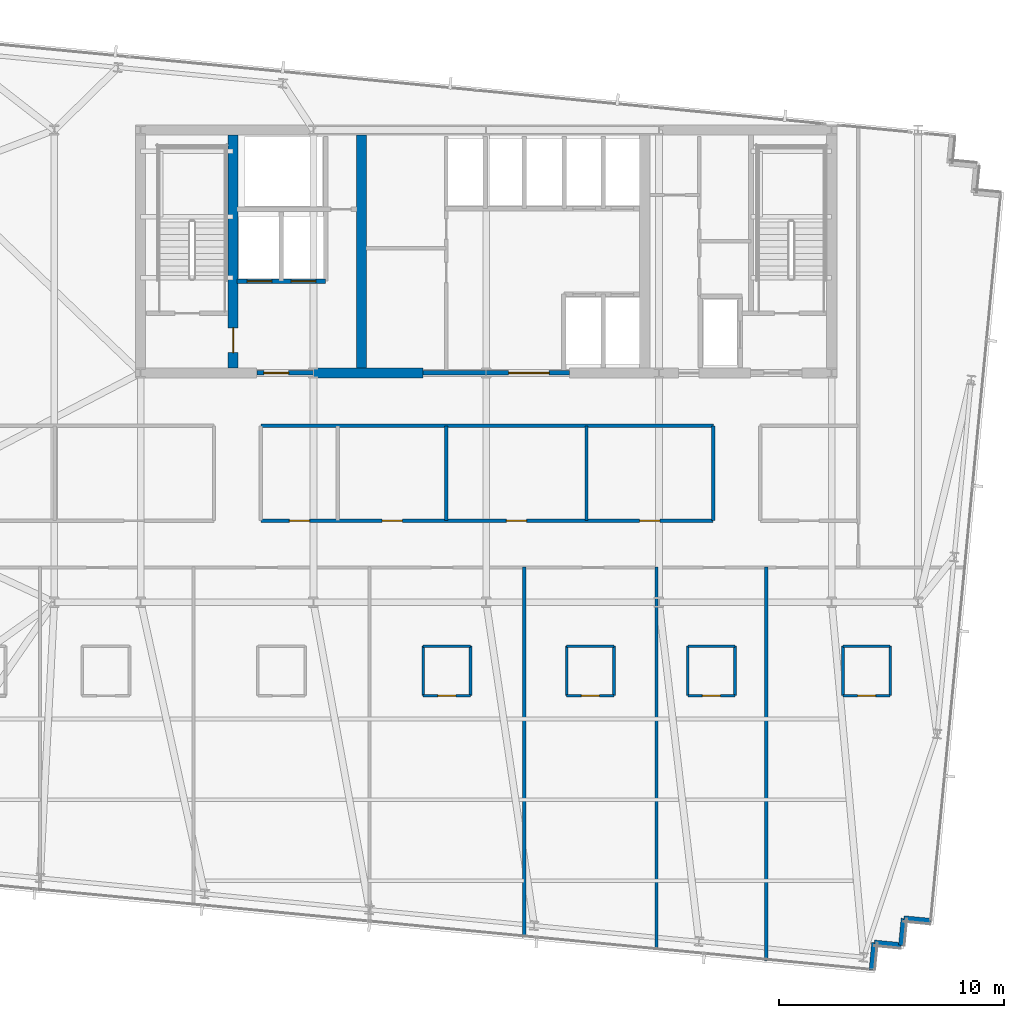
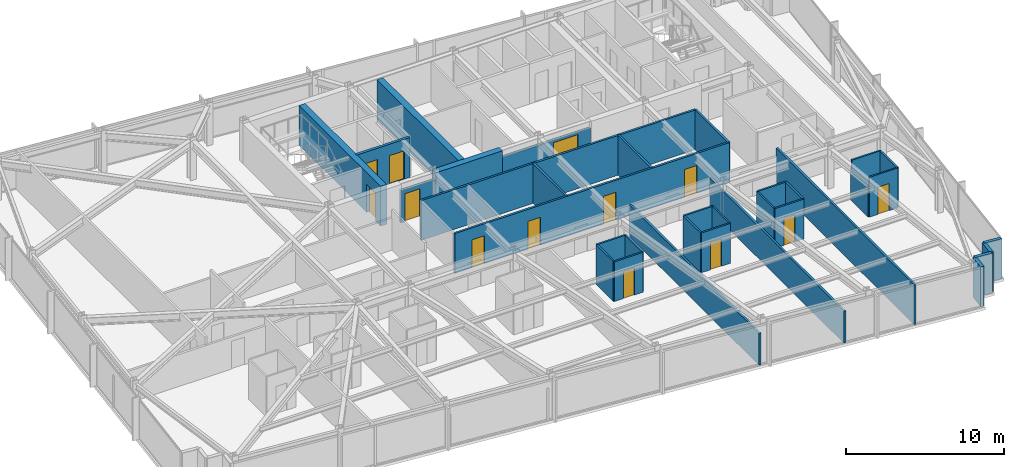
# One storey, part 30 of 37: 34 walls, 13 doors, 13 openings.
"""IFC4 building model written with IfcOpenShell, lengths in metres."""

import ifcopenshell
import ifcopenshell.guid

model = None  # the IFC model being written
_history = None  # IfcOwnerHistory: only IFC2X3 demands one
_inside = {}  # id of a spatial element -> (the spatial element, [elements in it])
_under = {}  # id of a project, library or spatial element -> (it, [spatial elements below it])
_declared = {}  # id of a project -> (the project, [libraries it declares])
_typed = {}  # id of a type object -> (the type object, [elements of that type])
_made_of = {}  # id of a material, layer set ... -> (it, [elements and type objects made of it])


def new_model(schema):
    """Start an empty IFC model of exactly this schema.

    Asked for "IFC4X3", IfcOpenShell would pick the latest addendum, in which some entities
    have other attributes; the version numbers below select the first issue.
    IFC2X3 requires an IfcOwnerHistory on every rooted entity: one is made here for all.
    """
    global model, _history
    if schema == "IFC4X3":
        model = ifcopenshell.file(schema_version=(4, 3, 0, 0))
    else:
        model = ifcopenshell.file(schema=schema)
    _inside.clear()
    _under.clear()
    _declared.clear()
    _typed.clear()
    _made_of.clear()
    _history = None
    if model.schema == "IFC2X3":
        org = make("IfcOrganization", Name="unknown")
        user = make(
            "IfcPersonAndOrganization",
            ThePerson=make("IfcPerson", FamilyName="unknown"),
            TheOrganization=org,
        )
        app = make(
            "IfcApplication",
            ApplicationDeveloper=org,
            Version="unknown",
            ApplicationFullName="unknown",
            ApplicationIdentifier="unknown",
        )
        _history = make(
            "IfcOwnerHistory",
            OwningUser=user,
            OwningApplication=app,
            ChangeAction="ADDED",
            CreationDate=0,
        )
    return model


def make(cls, **values):
    """One entity of the class cls with the attributes given. An attribute that is None is left unset."""
    return model.create_entity(
        cls, **{name: value for name, value in values.items() if value is not None}
    )


def rooted(cls, **values):
    """An entity with a GlobalId (a new one), such as an element, a storey or a relation."""
    return make(cls, GlobalId=ifcopenshell.guid.new(), OwnerHistory=_history, **values)


def si_unit(unit_type, name, prefix=None):
    """IfcSIUnit, for example si_unit("LENGTHUNIT", "METRE", prefix="MILLI")."""
    return make("IfcSIUnit", UnitType=unit_type, Prefix=prefix, Name=name)


def assignment(units):
    """IfcUnitAssignment: the units of a project."""
    return None if units is None else make("IfcUnitAssignment", Units=units)


def point(xyz):
    """IfcCartesianPoint."""
    return None if xyz is None else make("IfcCartesianPoint", Coordinates=xyz)


def direction(xyz):
    """IfcDirection."""
    return None if xyz is None else make("IfcDirection", DirectionRatios=xyz)


def frame(location, z_axis=None, x_axis=None):
    """IfcAxis2Placement3D, a coordinate frame: its origin and axes. An axis left out is left unset."""
    return make(
        "IfcAxis2Placement3D",
        Location=point(location),
        Axis=direction(z_axis),
        RefDirection=direction(x_axis),
    )


def frame_2d(location, x_axis=None):
    """IfcAxis2Placement2D, a coordinate frame in the plane: its origin and x axis."""
    return make(
        "IfcAxis2Placement2D", Location=point(location), RefDirection=direction(x_axis)
    )


def origin():
    """The frame at (0, 0, 0) with its axes left unset."""
    return frame((0.0, 0.0, 0.0))


def place(relative_to, where):
    """IfcLocalPlacement: puts the frame where relative to a parent placement (None: the world)."""
    return make(
        "IfcLocalPlacement", PlacementRelTo=relative_to, RelativePlacement=where
    )


def context(
    kind, dimensions, precision=None, world=None, true_north=None, identifier=None
):
    """IfcGeometricRepresentationContext, for example the 3D "Model" context."""
    return make(
        "IfcGeometricRepresentationContext",
        ContextIdentifier=identifier,
        ContextType=kind,
        CoordinateSpaceDimension=dimensions,
        Precision=precision,
        WorldCoordinateSystem=world,
        TrueNorth=true_north,
    )


def subcontext(parent, identifier, kind, view, scale=None):
    """IfcGeometricRepresentationSubContext, for example "Body" below "Model"."""
    return make(
        "IfcGeometricRepresentationSubContext",
        ContextIdentifier=identifier,
        ContextType=kind,
        ParentContext=parent,
        TargetScale=scale,
        TargetView=view,
    )


def project(units=None, contexts=None):
    """IfcProject with its units and contexts."""
    return rooted(
        "IfcProject",
        Name="project",
        RepresentationContexts=contexts,
        UnitsInContext=assignment(units),
    )


def spatial(cls, under=None, at=None, **own):
    """A site, building, storey or space (cls), placed at a placement, below another one or the project."""
    s = rooted(cls, ObjectPlacement=at, **own)
    if under is not None:
        _under.setdefault(under.id(), (under, []))[1].append(s)
    return s


def profile(cls, at=None, kind="AREA", **sizes):
    """A parametric profile (cls). Its sizes go by their IFC names, for example OverallWidth=200.0."""
    return make(cls, ProfileType=kind, Position=at, **sizes)


def rectangle(**sizes):
    """IfcRectangleProfileDef."""
    return profile("IfcRectangleProfileDef", **sizes)


def extrude(swept, where, along, depth):
    """IfcExtrudedAreaSolid: the profile swept, set in the frame where, extruded along a direction by depth."""
    return make(
        "IfcExtrudedAreaSolid",
        SweptArea=swept,
        Position=where,
        ExtrudedDirection=direction(along),
        Depth=depth,
    )


def shape(context_of_items, identifier, shape_type, items):
    """IfcShapeRepresentation: the items that make up one representation, for example the "Body"."""
    return make(
        "IfcShapeRepresentation",
        ContextOfItems=context_of_items,
        RepresentationIdentifier=identifier,
        RepresentationType=shape_type,
        Items=items,
    )


def material(Name=None, Category=None):
    """IfcMaterial."""
    return make("IfcMaterial", Name=Name, Category=Category)


def layer(
    of_material, thickness, ventilated=None, Name=None, Category=None, Priority=None
):
    """IfcMaterialLayer: one layer of a wall or slab, of a material (None: an air gap)."""
    return make(
        "IfcMaterialLayer",
        Material=of_material,
        LayerThickness=thickness,
        IsVentilated=ventilated,
        Name=Name,
        Category=Category,
        Priority=Priority,
    )


def layer_set(layers, Name=None):
    """IfcMaterialLayerSet."""
    return make("IfcMaterialLayerSet", MaterialLayers=layers, LayerSetName=Name)


def made_of(thing, what):
    """Note that an element or type object is made of a material, layer set ...; save() writes the relation."""
    if what is not None:
        _made_of.setdefault(what.id(), (what, []))[1].append(thing)
    return thing


def type_object(cls, material=None, **own):
    """A type object (cls), such as IfcWallType, which elements share."""
    return made_of(rooted(cls, **own), material)


def element(
    cls,
    number,
    at=None,
    inside=None,
    cuts=None,
    type_object=None,
    material=None,
    context=None,
    identifier="Body",
    shape_type=None,
    held_by="IfcProductDefinitionShape",
    body=None,
    shapes=None,
    **own,
):
    """One element of the class cls, such as IfcWall. Its Tag is "e" and its number.

    at: its placement. inside: the storey or other place that contains it. cuts: it is an
    opening in that element (IfcRelVoidsElement). A single representation is given by context,
    identifier, shape_type and body (its items); several are given by shapes. held_by: the class
    of the entity that holds the representations. save() writes the other relations.
    """
    e = rooted(cls, Tag="e%d" % number, ObjectPlacement=at, **own)
    if body is not None:
        shapes = [shape(context, identifier, shape_type, body)]
    if shapes is not None:
        e.Representation = make(held_by, Representations=shapes)
    if inside is not None:
        _inside.setdefault(inside.id(), (inside, []))[1].append(e)
    if cuts is not None:
        rooted(
            "IfcRelVoidsElement", RelatingBuildingElement=cuts, RelatedOpeningElement=e
        )
    if type_object is not None:
        _typed.setdefault(type_object.id(), (type_object, []))[1].append(e)
    return made_of(e, material)


def fill(opening, filler):
    """IfcRelFillsElement: the door or window that sits in an opening."""
    return rooted(
        "IfcRelFillsElement",
        RelatingOpeningElement=opening,
        RelatedBuildingElement=filler,
    )


def aggregate(whole, parts):
    """IfcRelAggregates: a whole, such as a stair, and the parts it consists of."""
    return rooted("IfcRelAggregates", RelatingObject=whole, RelatedObjects=parts)


def save(model, path):
    """Write the relations noted so far, then the file.

    IfcRelAggregates (storeys below a building ...), IfcRelContainedInSpatialStructure (elements
    in a storey), IfcRelDefinesByType, IfcRelAssociatesMaterial and IfcRelDeclares: one each for
    every whole, place, type object, material and project.
    """
    for whole, parts in _under.values():
        aggregate(whole, parts)
    for where, things in _inside.values():
        rooted(
            "IfcRelContainedInSpatialStructure",
            RelatedElements=things,
            RelatingStructure=where,
        )
    for kind, things in _typed.values():
        rooted("IfcRelDefinesByType", RelatedObjects=things, RelatingType=kind)
    for what, things in _made_of.values():
        rooted("IfcRelAssociatesMaterial", RelatedObjects=things, RelatingMaterial=what)
    for by, libraries in _declared.values():
        rooted("IfcRelDeclares", RelatingContext=by, RelatedDefinitions=libraries)
    model.write(path)


model = new_model("IFC4")

# Units and contexts
model_context = context("Model", 3, precision=1e-05, world=origin(), true_north=direction((0.0, 1.0)))
body_context = subcontext(model_context, "Body", "Model", "MODEL_VIEW")
ifc_project = project(units=[si_unit("LENGTHUNIT", "METRE"), si_unit("AREAUNIT", "SQUARE_METRE"), si_unit("VOLUMEUNIT", "CUBIC_METRE"), si_unit("PLANEANGLEUNIT", "RADIAN"), si_unit("MASSUNIT", "GRAM", prefix="KILO")], contexts=[model_context])

# Site, building, storey
site_placement = place(None, origin())
site = spatial("IfcSite", under=ifc_project, at=site_placement, CompositionType="ELEMENT")
building_placement = place(site_placement, origin())
building = spatial("IfcBuilding", under=site, at=building_placement, Name="Yelkora Congress Tower", CompositionType="ELEMENT")
storey_placement = place(building_placement, frame((0.0, 0.0, 175.39990234375)))
storey = spatial("IfcBuildingStorey", under=building, at=storey_placement, Name="L48", CompositionType="ELEMENT", Elevation=175.39990234375)

# Wall
ifc_material_1 = material(Name="Concrete C60/75", Category="concrete")
ifc_layer_1 = layer(ifc_material_1, 0.449951171875)
ifc_layer_set_1 = layer_set([ifc_layer_1], Name="Concrete C60/75")
wall_type_1 = type_object("IfcWallType", Name="WALL-CORE-INT-450", PredefinedType="SHEAR", material=ifc_layer_set_1)
wall_1_placement = place(storey_placement, frame((30.719970703125, 35.39990234375, 0.0), z_axis=(0.0, 0.0, 1.0), x_axis=(1.0, 0.0, 0.0)))
element("IfcWall", 1, at=wall_1_placement, inside=storey, type_object=wall_type_1, Name="L48 Rear Core South-Center Shear Pier", PredefinedType="SHEAR", context=body_context, shape_type="SweptSolid", body=[
    extrude(rectangle(XDim=4.880126953125, YDim=0.449951171875, at=frame_2d((2.43994140625, 0.0))), origin(), (0.0, 0.0, 1.0), 3.080078125),
])

# Wall, opening, door
wall_2_placement = place(storey_placement, frame((27.14990234375, 35.625, 0.0), z_axis=(0.0, 0.0, 1.0), x_axis=(0.0, 1.0, 0.0)))
wall_2 = element("IfcWall", 2, at=wall_2_placement, inside=storey, type_object=wall_type_1, Name="L48 Rear Core Cross Shear Wall C1", PredefinedType="SHEAR", context=body_context, shape_type="SweptSolid", body=[
    extrude(rectangle(XDim=10.35009765625, YDim=0.449951171875, at=frame_2d((5.175048828125, 0.0))), origin(), (0.0, 0.0, 1.0), 3.080078125),
])
opening_1_placement = place(wall_2_placement, frame((0.675048828125, 0.0, 0.0)))
opening_1 = element("IfcOpeningElement", 3, at=opening_1_placement, cuts=wall_2, Name="Opening DR-110F9", PredefinedType="OPENING", context=body_context, shape_type="SweptSolid", body=[
    extrude(rectangle(XDim=1.10009765625, YDim=2.14990234375, at=frame_2d((0.550048828125, 1.074951171875))), frame((0.0, 0.23486328125, 0.0), z_axis=(0.0, -1.0, 0.0), x_axis=(1.0, 0.0, 0.0)), (0.0, 0.0, 1.0), 0.469970703125),
])
ifc_material_2 = material(Name="Galvanised steel fire door leaf", Category="steel")
door_type_1 = type_object("IfcDoorType", Name="DOOR-FD90-1100", OperationType="NOTDEFINED", PredefinedType="DOOR", material=ifc_material_2)
door_1_placement = place(opening_1_placement, origin())
door_1 = element("IfcDoor", 4, at=door_1_placement, inside=storey, type_object=door_type_1, Name="L48 Firefighting Stair Transfer Door", OperationType="SINGLE_SWING_LEFT", OverallHeight=2.14990234375, OverallWidth=1.10009765625, PredefinedType="DOOR", context=body_context, shape_type="SweptSolid", body=[
    extrude(rectangle(XDim=1.10009765625, YDim=2.14990234375, at=frame_2d((0.550048828125, 1.074951171875))), frame((0.0, 0.02490234375, 0.0), z_axis=(0.0, -1.0, 0.0), x_axis=(1.0, 0.0, 0.0)), (0.0, 0.0, 1.0), 0.050048828125),
])
fill(opening_1, door_1)

# Walls
wall_3_placement = place(storey_placement, frame((32.85009765625, 35.625, 0.0), z_axis=(0.0, 0.0, 1.0), x_axis=(0.0, 1.0, 0.0)))
element("IfcWall", 5, at=wall_3_placement, inside=storey, type_object=wall_type_1, Name="L48 Rear Core Cross Shear Wall C2", PredefinedType="SHEAR", context=body_context, shape_type="SweptSolid", body=[
    extrude(rectangle(XDim=10.35009765625, YDim=0.449951171875, at=frame_2d((5.175048828125, 0.0))), origin(), (0.0, 0.0, 1.0), 3.080078125),
])
ifc_material_3 = material(Name="Concrete C40/50", Category="concrete")
ifc_layer_2 = layer(ifc_material_3, 0.239990234375)
ifc_layer_set_2 = layer_set([ifc_layer_2], Name="Concrete C40/50")
wall_type_2 = type_object("IfcWallType", Name="WALL-EXT-LIMESTONE-240", PredefinedType="SOLIDWALL", material=ifc_layer_set_2)
wall_4_placement = place(storey_placement, frame((58.160400390625, 11.033203125, 0.0), z_axis=(0.0, 0.0, 1.0), x_axis=(-0.995398960025, 0.095817067274, 0.0)))
element("IfcWall", 6, at=wall_4_placement, inside=storey, type_object=wall_type_2, Name="L48 Serrated Corner Limestone Pier 16", PredefinedType="SOLIDWALL", context=body_context, shape_type="SweptSolid", body=[
    extrude(rectangle(XDim=1.2001953125, YDim=0.239990234375, at=frame_2d((0.60009765625, 0.0))), origin(), (0.0, 0.0, 1.0), 3.080078125),
])
for number, where, z_axis, x_axis, name in (
    (7, (56.9658203125, 11.148193359375, 0.0), (0.0, 0.0, 1.0), (-0.095836473879, -0.995397091755, 0.0), "L48 Serrated Corner Limestone Pier 17"),
    (8, (56.850830078125, 9.953857421875, 0.0), (0.0, 0.0, 1.0), (-0.995397091755, 0.095836473879, 0.0), "L48 Serrated Corner Limestone Pier 18"),
):
    element("IfcWall", number, at=place(storey_placement, frame(where, z_axis=z_axis, x_axis=x_axis)), inside=storey, type_object=wall_type_2, Name=name, PredefinedType="SOLIDWALL", context=body_context, shape_type="SweptSolid", body=[
        extrude(rectangle(XDim=1.199951171875, YDim=0.239990234375, at=frame_2d((0.60009765625, 0.0))), origin(), (0.0, 0.0, 1.0), 3.080078125),
    ])
wall_5_placement = place(storey_placement, frame((55.656494140625, 10.06884765625, 0.0), z_axis=(0.0, 0.0, 1.0), x_axis=(-0.095817067274, -0.995398960025, 0.0)))
element("IfcWall", 9, at=wall_5_placement, inside=storey, type_object=wall_type_2, Name="L48 Serrated Corner Limestone Pier 19", PredefinedType="SOLIDWALL", context=body_context, shape_type="SweptSolid", body=[
    extrude(rectangle(XDim=1.2001953125, YDim=0.239990234375, at=frame_2d((0.60009765625, 0.0))), origin(), (0.0, 0.0, 1.0), 3.080078125),
])
ifc_material_4 = material(Name="Moisture-resistant gypsum partition", Category="gypsum")
ifc_layer_3 = layer(ifc_material_4, 0.1201171875)
ifc_layer_set_3 = layer_set([ifc_layer_3], Name="Moisture-resistant gypsum partition")
wall_type_3 = type_object("IfcWallType", Name="WALL-INT-120-NR", PredefinedType="PARTITIONING", material=ifc_layer_set_3)
wall_6_placement = place(storey_placement, frame((35.60107421875, 23.25, 0.0), z_axis=(0.0, 0.0, 1.0), x_axis=(1.0, 0.0, 0.0)))
element("IfcWall", 10, at=wall_6_placement, inside=storey, type_object=wall_type_3, Name="L48 Partition Wall 46", PredefinedType="PARTITIONING", context=body_context, shape_type="SweptSolid", body=[
    extrude(rectangle(XDim=2.099853515625, YDim=0.1201171875, at=frame_2d((1.0498046875, 0.0))), origin(), (0.0, 0.0, 1.0), 3.080078125),
])
for number, where, z_axis, x_axis, name in (
    (11, (35.60107421875, 21.050048828125, 0.0), (0.0, 0.0, 1.0), (0.0, 1.0, 0.0), "L48 Partition Wall 47"),
    (12, (37.700927734375, 21.050048828125, 0.0), (0.0, 0.0, 1.0), (0.0, 1.0, 0.0), "L48 Partition Wall 48"),
):
    element("IfcWall", number, at=place(storey_placement, frame(where, z_axis=z_axis, x_axis=x_axis)), inside=storey, type_object=wall_type_3, Name=name, PredefinedType="PARTITIONING", context=body_context, shape_type="SweptSolid", body=[
        extrude(rectangle(XDim=2.199951171875, YDim=0.1201171875, at=frame_2d((1.10009765625, 0.0))), origin(), (0.0, 0.0, 1.0), 3.080078125),
    ])

# Wall, opening, door
wall_7_placement = place(storey_placement, frame((35.60107421875, 21.050048828125, 0.0), z_axis=(0.0, 0.0, 1.0), x_axis=(1.0, 0.0, 0.0)))
wall_7 = element("IfcWall", 13, at=wall_7_placement, inside=storey, type_object=wall_type_3, Name="L48 Partition Wall 49", PredefinedType="PARTITIONING", context=body_context, shape_type="SweptSolid", body=[
    extrude(rectangle(XDim=2.099853515625, YDim=0.1201171875, at=frame_2d((1.0498046875, 0.0))), origin(), (0.0, 0.0, 1.0), 3.080078125),
])
opening_2_placement = place(wall_7_placement, frame((0.64990234375, 0.0, 0.0)))
opening_2 = element("IfcOpeningElement", 14, at=opening_2_placement, cuts=wall_7, Name="Opening DR-080B", PredefinedType="OPENING", context=body_context, shape_type="SweptSolid", body=[
    extrude(rectangle(XDim=0.800048828125, YDim=2.10009765625, at=frame_2d((0.39990234375, 1.050048828125))), frame((0.0, 0.070068359375, 0.0), z_axis=(0.0, -1.0, 0.0), x_axis=(1.0, 0.0, 0.0)), (0.0, 0.0, 1.0), 0.14013671875),
])
ifc_material_5 = material(Name="Moisture-sealed en-suite timber door", Category="wood")
door_type_2 = type_object("IfcDoorType", Name="DOOR-BATH-800", OperationType="NOTDEFINED", PredefinedType="DOOR", material=ifc_material_5)
door_2_placement = place(opening_2_placement, origin())
door_2 = element("IfcDoor", 15, at=door_2_placement, inside=storey, type_object=door_type_2, Name="L48 En-suite Door 5", OperationType="SINGLE_SWING_LEFT", OverallHeight=2.10009765625, OverallWidth=0.800048828125, PredefinedType="DOOR", context=body_context, shape_type="SweptSolid", body=[
    extrude(rectangle(XDim=0.800048828125, YDim=2.10009765625, at=frame_2d((0.39990234375, 1.050048828125))), frame((0.0, 0.02490234375, 0.0), z_axis=(0.0, -1.0, 0.0), x_axis=(1.0, 0.0, 0.0)), (0.0, 0.0, 1.0), 0.050048828125),
])
fill(opening_2, door_2)

# Walls
wall_8_placement = place(storey_placement, frame((41.98095703125, 23.25, 0.0), z_axis=(0.0, 0.0, 1.0), x_axis=(1.0, 0.0, 0.0)))
element("IfcWall", 16, at=wall_8_placement, inside=storey, type_object=wall_type_3, Name="L48 Partition Wall 51", PredefinedType="PARTITIONING", context=body_context, shape_type="SweptSolid", body=[
    extrude(rectangle(XDim=2.10009765625, YDim=0.1201171875, at=frame_2d((1.050048828125, 0.0))), origin(), (0.0, 0.0, 1.0), 3.080078125),
])
for number, where, z_axis, x_axis, name in (
    (17, (41.98095703125, 21.050048828125, 0.0), (0.0, 0.0, 1.0), (0.0, 1.0, 0.0), "L48 Partition Wall 52"),
    (18, (44.0810546875, 21.050048828125, 0.0), (0.0, 0.0, 1.0), (0.0, 1.0, 0.0), "L48 Partition Wall 53"),
):
    element("IfcWall", number, at=place(storey_placement, frame(where, z_axis=z_axis, x_axis=x_axis)), inside=storey, type_object=wall_type_3, Name=name, PredefinedType="PARTITIONING", context=body_context, shape_type="SweptSolid", body=[
        extrude(rectangle(XDim=2.199951171875, YDim=0.1201171875, at=frame_2d((1.10009765625, 0.0))), origin(), (0.0, 0.0, 1.0), 3.080078125),
    ])

# Wall, opening, door
wall_9_placement = place(storey_placement, frame((41.98095703125, 21.050048828125, 0.0), z_axis=(0.0, 0.0, 1.0), x_axis=(1.0, 0.0, 0.0)))
wall_9 = element("IfcWall", 19, at=wall_9_placement, inside=storey, type_object=wall_type_3, Name="L48 Partition Wall 54", PredefinedType="PARTITIONING", context=body_context, shape_type="SweptSolid", body=[
    extrude(rectangle(XDim=2.10009765625, YDim=0.1201171875, at=frame_2d((1.050048828125, 0.0))), origin(), (0.0, 0.0, 1.0), 3.080078125),
])
opening_3_placement = place(wall_9_placement, frame((0.64990234375, 0.0, 0.0)))
opening_3 = element("IfcOpeningElement", 20, at=opening_3_placement, cuts=wall_9, Name="Opening DR-080B", PredefinedType="OPENING", context=body_context, shape_type="SweptSolid", body=[
    extrude(rectangle(XDim=0.800048828125, YDim=2.10009765625, at=frame_2d((0.39990234375, 1.050048828125))), frame((0.0, 0.070068359375, 0.0), z_axis=(0.0, -1.0, 0.0), x_axis=(1.0, 0.0, 0.0)), (0.0, 0.0, 1.0), 0.14013671875),
])
door_3_placement = place(opening_3_placement, origin())
door_3 = element("IfcDoor", 21, at=door_3_placement, inside=storey, type_object=door_type_2, Name="L48 En-suite Door 6", OperationType="SINGLE_SWING_RIGHT", OverallHeight=2.10009765625, OverallWidth=0.800048828125, PredefinedType="DOOR", context=body_context, shape_type="SweptSolid", body=[
    extrude(rectangle(XDim=0.800048828125, YDim=2.10009765625, at=frame_2d((0.39990234375, 1.050048828125))), frame((0.0, 0.02490234375, 0.0), z_axis=(0.0, -1.0, 0.0), x_axis=(1.0, 0.0, 0.0)), (0.0, 0.0, 1.0), 0.050048828125),
])
fill(opening_3, door_3)

# Walls
wall_10_placement = place(storey_placement, frame((47.361083984375, 23.25, 0.0), z_axis=(0.0, 0.0, 1.0), x_axis=(1.0, 0.0, 0.0)))
element("IfcWall", 22, at=wall_10_placement, inside=storey, type_object=wall_type_3, Name="L48 Partition Wall 56", PredefinedType="PARTITIONING", context=body_context, shape_type="SweptSolid", body=[
    extrude(rectangle(XDim=2.099853515625, YDim=0.1201171875, at=frame_2d((1.0498046875, 0.0))), origin(), (0.0, 0.0, 1.0), 3.080078125),
])
for number, where, z_axis, x_axis, name in (
    (23, (47.361083984375, 21.050048828125, 0.0), (0.0, 0.0, 1.0), (0.0, 1.0, 0.0), "L48 Partition Wall 57"),
    (24, (49.4609375, 21.050048828125, 0.0), (0.0, 0.0, 1.0), (0.0, 1.0, 0.0), "L48 Partition Wall 58"),
):
    element("IfcWall", number, at=place(storey_placement, frame(where, z_axis=z_axis, x_axis=x_axis)), inside=storey, type_object=wall_type_3, Name=name, PredefinedType="PARTITIONING", context=body_context, shape_type="SweptSolid", body=[
        extrude(rectangle(XDim=2.199951171875, YDim=0.1201171875, at=frame_2d((1.10009765625, 0.0))), origin(), (0.0, 0.0, 1.0), 3.080078125),
    ])

# Wall, opening, door
wall_11_placement = place(storey_placement, frame((47.361083984375, 21.050048828125, 0.0), z_axis=(0.0, 0.0, 1.0), x_axis=(1.0, 0.0, 0.0)))
wall_11 = element("IfcWall", 25, at=wall_11_placement, inside=storey, type_object=wall_type_3, Name="L48 Partition Wall 59", PredefinedType="PARTITIONING", context=body_context, shape_type="SweptSolid", body=[
    extrude(rectangle(XDim=2.099853515625, YDim=0.1201171875, at=frame_2d((1.0498046875, 0.0))), origin(), (0.0, 0.0, 1.0), 3.080078125),
])
opening_4_placement = place(wall_11_placement, frame((0.64990234375, 0.0, 0.0)))
opening_4 = element("IfcOpeningElement", 26, at=opening_4_placement, cuts=wall_11, Name="Opening DR-080B", PredefinedType="OPENING", context=body_context, shape_type="SweptSolid", body=[
    extrude(rectangle(XDim=0.800048828125, YDim=2.10009765625, at=frame_2d((0.39990234375, 1.050048828125))), frame((0.0, 0.070068359375, 0.0), z_axis=(0.0, -1.0, 0.0), x_axis=(1.0, 0.0, 0.0)), (0.0, 0.0, 1.0), 0.14013671875),
])
door_4_placement = place(opening_4_placement, origin())
door_4 = element("IfcDoor", 27, at=door_4_placement, inside=storey, type_object=door_type_2, Name="L48 En-suite Door 7", OperationType="SINGLE_SWING_LEFT", OverallHeight=2.10009765625, OverallWidth=0.800048828125, PredefinedType="DOOR", context=body_context, shape_type="SweptSolid", body=[
    extrude(rectangle(XDim=0.800048828125, YDim=2.10009765625, at=frame_2d((0.39990234375, 1.050048828125))), frame((0.0, 0.02490234375, 0.0), z_axis=(0.0, -1.0, 0.0), x_axis=(1.0, 0.0, 0.0)), (0.0, 0.0, 1.0), 0.050048828125),
])
fill(opening_4, door_4)

# Walls
wall_12_placement = place(storey_placement, frame((54.260009765625, 23.25, 0.0), z_axis=(0.0, 0.0, 1.0), x_axis=(1.0, 0.0, 0.0)))
element("IfcWall", 28, at=wall_12_placement, inside=storey, type_object=wall_type_3, Name="L48 Partition Wall 61", PredefinedType="PARTITIONING", context=body_context, shape_type="SweptSolid", body=[
    extrude(rectangle(XDim=2.10009765625, YDim=0.1201171875, at=frame_2d((1.050048828125, 0.0))), origin(), (0.0, 0.0, 1.0), 3.080078125),
])
wall_13_placement = place(storey_placement, frame((54.260009765625, 21.050048828125, 0.0), z_axis=(0.0, 0.0, 1.0), x_axis=(0.0, 1.0, 0.0)))
element("IfcWall", 29, at=wall_13_placement, inside=storey, type_object=wall_type_3, Name="L48 Partition Wall 62", PredefinedType="PARTITIONING", context=body_context, shape_type="SweptSolid", body=[
    extrude(rectangle(XDim=2.199951171875, YDim=0.1201171875, at=frame_2d((1.10009765625, 0.0))), origin(), (0.0, 0.0, 1.0), 2.47509765625),
])
wall_14_placement = place(storey_placement, frame((56.360107421875, 21.050048828125, 0.0), z_axis=(0.0, 0.0, 1.0), x_axis=(0.0, 1.0, 0.0)))
element("IfcWall", 30, at=wall_14_placement, inside=storey, type_object=wall_type_3, Name="L48 Partition Wall 63", PredefinedType="PARTITIONING", context=body_context, shape_type="SweptSolid", body=[
    extrude(rectangle(XDim=2.199951171875, YDim=0.1201171875, at=frame_2d((1.10009765625, 0.0))), origin(), (0.0, 0.0, 1.0), 3.080078125),
])

# Wall, opening, door
wall_15_placement = place(storey_placement, frame((54.260009765625, 21.050048828125, 0.0), z_axis=(0.0, 0.0, 1.0), x_axis=(1.0, 0.0, 0.0)))
wall_15 = element("IfcWall", 31, at=wall_15_placement, inside=storey, type_object=wall_type_3, Name="L48 Partition Wall 64", PredefinedType="PARTITIONING", context=body_context, shape_type="SweptSolid", body=[
    extrude(rectangle(XDim=2.10009765625, YDim=0.1201171875, at=frame_2d((1.050048828125, 0.0))), origin(), (0.0, 0.0, 1.0), 3.080078125),
])
opening_5_placement = place(wall_15_placement, frame((0.64990234375, 0.0, 0.0)))
opening_5 = element("IfcOpeningElement", 32, at=opening_5_placement, cuts=wall_15, Name="Opening DR-080B", PredefinedType="OPENING", context=body_context, shape_type="SweptSolid", body=[
    extrude(rectangle(XDim=0.800048828125, YDim=2.10009765625, at=frame_2d((0.39990234375, 1.050048828125))), frame((0.0, 0.070068359375, 0.0), z_axis=(0.0, -1.0, 0.0), x_axis=(1.0, 0.0, 0.0)), (0.0, 0.0, 1.0), 0.14013671875),
])
door_5_placement = place(opening_5_placement, origin())
door_5 = element("IfcDoor", 33, at=door_5_placement, inside=storey, type_object=door_type_2, Name="L48 En-suite Door 8", OperationType="SINGLE_SWING_RIGHT", OverallHeight=2.10009765625, OverallWidth=0.800048828125, PredefinedType="DOOR", context=body_context, shape_type="SweptSolid", body=[
    extrude(rectangle(XDim=0.800048828125, YDim=2.10009765625, at=frame_2d((0.39990234375, 1.050048828125))), frame((0.0, 0.02490234375, 0.0), z_axis=(0.0, -1.0, 0.0), x_axis=(1.0, 0.0, 0.0)), (0.0, 0.0, 1.0), 0.050048828125),
])
fill(opening_5, door_5)

# Walls
ifc_material_6 = material(Name="Acoustic metal-stud gypsum partition", Category="gypsum")
ifc_layer_4 = layer(ifc_material_6, 0.14990234375)
ifc_layer_set_4 = layer_set([ifc_layer_4], Name="Acoustic metal-stud gypsum partition")
wall_type_4 = type_object("IfcWallType", Name="WALL-INT-150-NR", PredefinedType="PARTITIONING", material=ifc_layer_set_4)
wall_16_placement = place(storey_placement, frame((48.5, 28.830078125, 0.0), z_axis=(0.0, 0.0, 1.0), x_axis=(0.0, 1.0, 0.0)))
element("IfcWall", 34, at=wall_16_placement, inside=storey, type_object=wall_type_4, Name="L48 Partition Wall 71", PredefinedType="PARTITIONING", context=body_context, shape_type="SweptSolid", body=[
    extrude(rectangle(XDim=4.219970703125, YDim=0.14990234375, at=frame_2d((2.10986328125, 0.0))), origin(), (0.0, 0.0, 1.0), 3.080078125),
])
wall_17_placement = place(storey_placement, frame((28.3798828125, 33.050048828125, 0.0), z_axis=(0.0, 0.0, 1.0), x_axis=(1.0, 0.0, 0.0)))
element("IfcWall", 35, at=wall_17_placement, inside=storey, type_object=wall_type_4, Name="L48 Partition Wall 74", PredefinedType="PARTITIONING", context=body_context, shape_type="SweptSolid", body=[
    extrude(rectangle(XDim=20.1201171875, YDim=0.14990234375, at=frame_2d((10.06005859375, 0.0))), origin(), (0.0, 0.0, 1.0), 3.080078125),
])
for number, where, z_axis, x_axis, name in (
    (36, (36.631103515625, 28.830078125, 0.0), (0.0, 0.0, 1.0), (0.0, 1.0, 0.0), "L48 Partition Wall 80"),
    (37, (42.862060546875, 28.830078125, 0.0), (0.0, 0.0, 1.0), (0.0, 1.0, 0.0), "L48 Partition Wall 81"),
):
    element("IfcWall", number, at=place(storey_placement, frame(where, z_axis=z_axis, x_axis=x_axis)), inside=storey, type_object=wall_type_4, Name=name, PredefinedType="PARTITIONING", context=body_context, shape_type="SweptSolid", body=[
        extrude(rectangle(XDim=4.219970703125, YDim=0.14990234375, at=frame_2d((2.10986328125, 0.0))), origin(), (0.0, 0.0, 1.0), 3.080078125),
    ])

# Wall, openings, doors
wall_18_placement = place(storey_placement, frame((28.389892578125, 28.830078125, 0.0), z_axis=(0.0, 0.0, 1.0), x_axis=(1.0, 0.0, 0.0)))
wall_18 = element("IfcWall", 38, at=wall_18_placement, inside=storey, type_object=wall_type_4, Name="L48 Partition Wall 82", PredefinedType="PARTITIONING", context=body_context, shape_type="SweptSolid", body=[
    extrude(rectangle(XDim=20.10009765625, YDim=0.14990234375, at=frame_2d((10.050048828125, 0.0))), origin(), (0.0, 0.0, 1.0), 3.080078125),
])
opening_6_placement = place(wall_18_placement, frame((1.258544921875, 0.0, 0.0)))
opening_6 = element("IfcOpeningElement", 39, at=opening_6_placement, cuts=wall_18, Name="Opening DR-090N", PredefinedType="OPENING", context=body_context, shape_type="SweptSolid", body=[
    extrude(rectangle(XDim=0.89990234375, YDim=2.14990234375, at=frame_2d((0.449951171875, 1.074951171875))), frame((0.0, 0.0849609375, 0.0), z_axis=(0.0, -1.0, 0.0), x_axis=(1.0, 0.0, 0.0)), (0.0, 0.0, 1.0), 0.169921875),
])
opening_7_placement = place(wall_18_placement, frame((5.37890625, 0.0, 0.0)))
opening_7 = element("IfcOpeningElement", 40, at=opening_7_placement, cuts=wall_18, Name="Opening DR-090N", PredefinedType="OPENING", context=body_context, shape_type="SweptSolid", body=[
    extrude(rectangle(XDim=0.89990234375, YDim=2.14990234375, at=frame_2d((0.449951171875, 1.074951171875))), frame((0.0, 0.0849609375, 0.0), z_axis=(0.0, -1.0, 0.0), x_axis=(1.0, 0.0, 0.0)), (0.0, 0.0, 1.0), 0.169921875),
])
opening_8_placement = place(wall_18_placement, frame((10.906494140625, 0.0, 0.0)))
opening_8 = element("IfcOpeningElement", 41, at=opening_8_placement, cuts=wall_18, Name="Opening DR-090N", PredefinedType="OPENING", context=body_context, shape_type="SweptSolid", body=[
    extrude(rectangle(XDim=0.89990234375, YDim=2.14990234375, at=frame_2d((0.449951171875, 1.074951171875))), frame((0.0, 0.0849609375, 0.0), z_axis=(0.0, -1.0, 0.0), x_axis=(1.0, 0.0, 0.0)), (0.0, 0.0, 1.0), 0.169921875),
])
opening_9_placement = place(wall_18_placement, frame((16.8359375, 0.0, 0.0)))
opening_9 = element("IfcOpeningElement", 42, at=opening_9_placement, cuts=wall_18, Name="Opening DR-090N", PredefinedType="OPENING", context=body_context, shape_type="SweptSolid", body=[
    extrude(rectangle(XDim=0.89990234375, YDim=2.14990234375, at=frame_2d((0.449951171875, 1.074951171875))), frame((0.0, 0.0849609375, 0.0), z_axis=(0.0, -1.0, 0.0), x_axis=(1.0, 0.0, 0.0)), (0.0, 0.0, 1.0), 0.169921875),
])
ifc_material_7 = material(Name="Moisture-resistant laminate door leaf", Category="wood")
door_type_3 = type_object("IfcDoorType", Name="DOOR-INT-900", OperationType="NOTDEFINED", PredefinedType="DOOR", material=ifc_material_7)
door_6_placement = place(opening_6_placement, origin())
door_6 = element("IfcDoor", 43, at=door_6_placement, inside=storey, type_object=door_type_3, Name="L48 Executive Library Door", OperationType="SINGLE_SWING_RIGHT", OverallHeight=2.14990234375, OverallWidth=0.89990234375, PredefinedType="DOOR", context=body_context, shape_type="SweptSolid", body=[
    extrude(rectangle(XDim=0.89990234375, YDim=2.14990234375, at=frame_2d((0.449951171875, 1.074951171875))), frame((0.0, 0.02490234375, 0.0), z_axis=(0.0, -1.0, 0.0), x_axis=(1.0, 0.0, 0.0)), (0.0, 0.0, 1.0), 0.050048828125),
])
fill(opening_6, door_6)
door_7_placement = place(opening_7_placement, origin())
door_7 = element("IfcDoor", 44, at=door_7_placement, inside=storey, type_object=door_type_3, Name="L48 Delegate Kiosk Door", OperationType="SINGLE_SWING_LEFT", OverallHeight=2.14990234375, OverallWidth=0.89990234375, PredefinedType="DOOR", context=body_context, shape_type="SweptSolid", body=[
    extrude(rectangle(XDim=0.89990234375, YDim=2.14990234375, at=frame_2d((0.449951171875, 1.074951171875))), frame((0.0, 0.02490234375, 0.0), z_axis=(0.0, -1.0, 0.0), x_axis=(1.0, 0.0, 0.0)), (0.0, 0.0, 1.0), 0.050048828125),
])
fill(opening_7, door_7)
door_8_placement = place(opening_8_placement, origin())
door_8 = element("IfcDoor", 45, at=door_8_placement, inside=storey, type_object=door_type_3, Name="L48 Fitness Yoga Studio Door", OperationType="SINGLE_SWING_RIGHT", OverallHeight=2.14990234375, OverallWidth=0.89990234375, PredefinedType="DOOR", context=body_context, shape_type="SweptSolid", body=[
    extrude(rectangle(XDim=0.89990234375, YDim=2.14990234375, at=frame_2d((0.449951171875, 1.074951171875))), frame((0.0, 0.02490234375, 0.0), z_axis=(0.0, -1.0, 0.0), x_axis=(1.0, 0.0, 0.0)), (0.0, 0.0, 1.0), 0.050048828125),
])
fill(opening_8, door_8)
door_9_placement = place(opening_9_placement, origin())
door_9 = element("IfcDoor", 46, at=door_9_placement, inside=storey, type_object=door_type_3, Name="L48 Executive Library Door", OperationType="SINGLE_SWING_LEFT", OverallHeight=2.14990234375, OverallWidth=0.89990234375, PredefinedType="DOOR", context=body_context, shape_type="SweptSolid", body=[
    extrude(rectangle(XDim=0.89990234375, YDim=2.14990234375, at=frame_2d((0.449951171875, 1.074951171875))), frame((0.0, 0.02490234375, 0.0), z_axis=(0.0, -1.0, 0.0), x_axis=(1.0, 0.0, 0.0)), (0.0, 0.0, 1.0), 0.050048828125),
])
fill(opening_9, door_9)

# Walls
ifc_material_8 = material(Name="Twin-stud fire-rated gypsum partition", Category="gypsum")
ifc_layer_5 = layer(ifc_material_8, 0.14990234375)
ifc_layer_set_5 = layer_set([ifc_layer_5], Name="Twin-stud fire-rated gypsum partition")
wall_type_5 = type_object("IfcWallType", Name="WALL-INT-150-R60", PredefinedType="PARTITIONING", material=ifc_layer_set_5)
wall_19_placement = place(storey_placement, frame((40.090087890625, 10.3017578125, 0.0), z_axis=(0.0, 0.0, 1.0), x_axis=(0.0, 1.0, 0.0)))
element("IfcWall", 47, at=wall_19_placement, inside=storey, type_object=wall_type_5, Name="L48 Partition Wall 55", PredefinedType="PARTITIONING", context=body_context, shape_type="SweptSolid", body=[
    extrude(rectangle(XDim=16.46826171875, YDim=0.14990234375, at=frame_2d((8.234130859375, 0.0))), origin(), (0.0, 0.0, 1.0), 2.47509765625),
])
wall_20_placement = place(storey_placement, frame((45.970947265625, 9.735595703125, 0.0), z_axis=(0.0, 0.0, 1.0), x_axis=(0.0, 1.0, 0.0)))
element("IfcWall", 48, at=wall_20_placement, inside=storey, type_object=wall_type_5, Name="L48 Partition Wall 60", PredefinedType="PARTITIONING", context=body_context, shape_type="SweptSolid", body=[
    extrude(rectangle(XDim=17.034423828125, YDim=0.14990234375, at=frame_2d((8.51708984375, 0.0))), origin(), (0.0, 0.0, 1.0), 2.47509765625),
])
wall_21_placement = place(storey_placement, frame((50.85205078125, 9.265380859375, 0.0), z_axis=(0.0, 0.0, 1.0), x_axis=(0.0, 1.0, 0.0)))
element("IfcWall", 49, at=wall_21_placement, inside=storey, type_object=wall_type_5, Name="L48 Partition Wall 65", PredefinedType="PARTITIONING", context=body_context, shape_type="SweptSolid", body=[
    extrude(rectangle(XDim=17.504638671875, YDim=0.14990234375, at=frame_2d((8.75244140625, 0.0))), origin(), (0.0, 0.0, 1.0), 3.080078125),
])

# Wall, opening, door
ifc_material_9 = material(Name="Autoclaved aerated concrete blockwork", Category="masonry")
ifc_layer_6 = layer(ifc_material_9, 0.199951171875)
ifc_layer_set_6 = layer_set([ifc_layer_6], Name="Autoclaved aerated concrete blockwork")
wall_type_6 = type_object("IfcWallType", Name="WALL-INT-200-R120", PredefinedType="PARTITIONING", material=ifc_layer_set_6)
wall_22_placement = place(storey_placement, frame((28.219970703125, 35.39990234375, 0.0), z_axis=(0.0, 0.0, 1.0), x_axis=(1.0, 0.0, 0.0)))
wall_22 = element("IfcWall", 50, at=wall_22_placement, inside=storey, type_object=wall_type_6, Name="L48 Firefighting Lobby South Wall", PredefinedType="PARTITIONING", context=body_context, shape_type="SweptSolid", body=[
    extrude(rectangle(XDim=2.5, YDim=0.199951171875, at=frame_2d((1.25, 0.0))), origin(), (0.0, 0.0, 1.0), 2.47509765625),
])
opening_10_placement = place(wall_22_placement, frame((0.300048828125, 0.0, 0.0)))
opening_10 = element("IfcOpeningElement", 51, at=opening_10_placement, cuts=wall_22, Name="Opening DR-110F9", PredefinedType="OPENING", context=body_context, shape_type="SweptSolid", body=[
    extrude(rectangle(XDim=1.10009765625, YDim=2.14990234375, at=frame_2d((0.550048828125, 1.074951171875))), frame((0.0, 0.10986328125, 0.0), z_axis=(0.0, -1.0, 0.0), x_axis=(1.0, 0.0, 0.0)), (0.0, 0.0, 1.0), 0.219970703125),
])
door_10_placement = place(opening_10_placement, origin())
door_10 = element("IfcDoor", 52, at=door_10_placement, inside=storey, type_object=door_type_1, Name="L48 Firefighting Lobby Corridor Door", OperationType="SINGLE_SWING_RIGHT", OverallHeight=2.14990234375, OverallWidth=1.10009765625, PredefinedType="DOOR", context=body_context, shape_type="SweptSolid", body=[
    extrude(rectangle(XDim=1.10009765625, YDim=2.14990234375, at=frame_2d((0.550048828125, 1.074951171875))), frame((0.0, 0.02490234375, 0.0), z_axis=(0.0, -1.0, 0.0), x_axis=(1.0, 0.0, 0.0)), (0.0, 0.0, 1.0), 0.050048828125),
])
fill(opening_10, door_10)

# Wall, openings, doors
wall_23_placement = place(storey_placement, frame((27.320068359375, 39.47998046875, 0.0), z_axis=(0.0, 0.0, 1.0), x_axis=(1.0, 0.0, 0.0)))
wall_23 = element("IfcWall", 53, at=wall_23_placement, inside=storey, type_object=wall_type_6, Name="L48 Firefighting Lift Front Wall", PredefinedType="PARTITIONING", context=body_context, shape_type="SweptSolid", body=[
    extrude(rectangle(XDim=3.93994140625, YDim=0.199951171875, at=frame_2d((1.969970703125, 0.0))), origin(), (0.0, 0.0, 1.0), 3.080078125),
])
opening_11_placement = place(wall_23_placement, frame((0.449951171875, 0.0, 0.0)))
opening_11 = element("IfcOpeningElement", 54, at=opening_11_placement, cuts=wall_23, Name="Opening LD-FF11", PredefinedType="OPENING", context=body_context, shape_type="SweptSolid", body=[
    extrude(rectangle(XDim=1.10009765625, YDim=2.199951171875, at=frame_2d((0.550048828125, 1.10009765625))), frame((0.0, 0.10986328125, 0.0), z_axis=(0.0, -1.0, 0.0), x_axis=(1.0, 0.0, 0.0)), (0.0, 0.0, 1.0), 0.219970703125),
])
opening_12_placement = place(wall_23_placement, frame((2.409912109375, 0.0, 0.0)))
opening_12 = element("IfcOpeningElement", 55, at=opening_12_placement, cuts=wall_23, Name="Opening LD-FF11", PredefinedType="OPENING", context=body_context, shape_type="SweptSolid", body=[
    extrude(rectangle(XDim=1.10009765625, YDim=2.199951171875, at=frame_2d((0.550048828125, 1.10009765625))), frame((0.0, 0.10986328125, 0.0), z_axis=(0.0, -1.0, 0.0), x_axis=(1.0, 0.0, 0.0)), (0.0, 0.0, 1.0), 0.219970703125),
])
ifc_material_10 = material(Name="Brushed stainless steel 316L landing door", Category="steel")
door_type_4 = type_object("IfcDoorType", Name="DOOR-LIFT-FF-1100", OperationType="DOUBLE_DOOR_SLIDING", PredefinedType="DOOR", material=ifc_material_10)
door_11_placement = place(opening_11_placement, origin())
door_11 = element("IfcDoor", 56, at=door_11_placement, inside=storey, type_object=door_type_4, Name="Lift Landing Door LF-FF1 L48", OperationType="DOUBLE_DOOR_SLIDING", OverallHeight=2.199951171875, OverallWidth=1.10009765625, PredefinedType="DOOR", context=body_context, shape_type="SweptSolid", body=[
    extrude(rectangle(XDim=1.10009765625, YDim=2.199951171875, at=frame_2d((0.550048828125, 1.10009765625))), frame((0.0, 0.02490234375, 0.0), z_axis=(0.0, -1.0, 0.0), x_axis=(1.0, 0.0, 0.0)), (0.0, 0.0, 1.0), 0.050048828125),
])
fill(opening_11, door_11)
door_12_placement = place(opening_12_placement, origin())
door_12 = element("IfcDoor", 57, at=door_12_placement, inside=storey, type_object=door_type_4, Name="Lift Landing Door LF-FF2 L48", OperationType="DOUBLE_DOOR_SLIDING", OverallHeight=2.199951171875, OverallWidth=1.10009765625, PredefinedType="DOOR", context=body_context, shape_type="SweptSolid", body=[
    extrude(rectangle(XDim=1.10009765625, YDim=2.199951171875, at=frame_2d((0.550048828125, 1.10009765625))), frame((0.0, 0.02490234375, 0.0), z_axis=(0.0, -1.0, 0.0), x_axis=(1.0, 0.0, 0.0)), (0.0, 0.0, 1.0), 0.050048828125),
])
fill(opening_12, door_12)

# Wall, opening, door
wall_24_placement = place(storey_placement, frame((35.60009765625, 35.39990234375, 0.0), z_axis=(0.0, 0.0, 1.0), x_axis=(1.0, 0.0, 0.0)))
wall_24 = element("IfcWall", 58, at=wall_24_placement, inside=storey, type_object=wall_type_6, Name="L48 Main Lift Lobby South Portal Wall", PredefinedType="PARTITIONING", context=body_context, shape_type="SweptSolid", body=[
    extrude(rectangle(XDim=6.5, YDim=0.199951171875, at=frame_2d((3.25, 0.0))), origin(), (0.0, 0.0, 1.0), 2.47509765625),
])
opening_13_placement = place(wall_24_placement, frame((3.800048828125, 0.0, 0.0)))
opening_13 = element("IfcOpeningElement", 59, at=opening_13_placement, cuts=wall_24, Name="Opening DR-180D", PredefinedType="OPENING", context=body_context, shape_type="SweptSolid", body=[
    extrude(rectangle(XDim=1.800048828125, YDim=2.300048828125, at=frame_2d((0.89990234375, 1.14990234375))), frame((0.0, 0.10986328125, 0.0), z_axis=(0.0, -1.0, 0.0), x_axis=(1.0, 0.0, 0.0)), (0.0, 0.0, 1.0), 0.219970703125),
])
ifc_material_11 = material(Name="Acoustic double congress hall doors", Category="wood")
door_type_5 = type_object("IfcDoorType", Name="DOOR-DBL-1800", OperationType="DOUBLE_DOOR_SINGLE_SWING", PredefinedType="DOOR", material=ifc_material_11)
door_13_placement = place(opening_13_placement, origin())
door_13 = element("IfcDoor", 60, at=door_13_placement, inside=storey, type_object=door_type_5, Name="L48 Main Lift Lobby Portal Door", OperationType="DOUBLE_DOOR_SINGLE_SWING", OverallHeight=2.300048828125, OverallWidth=1.800048828125, PredefinedType="DOOR", context=body_context, shape_type="SweptSolid", body=[
    extrude(rectangle(XDim=1.800048828125, YDim=2.300048828125, at=frame_2d((0.89990234375, 1.14990234375))), frame((0.0, 0.02490234375, 0.0), z_axis=(0.0, -1.0, 0.0), x_axis=(1.0, 0.0, 0.0)), (0.0, 0.0, 1.0), 0.050048828125),
])
fill(opening_13, door_13)

save(model, "model.ifc")
